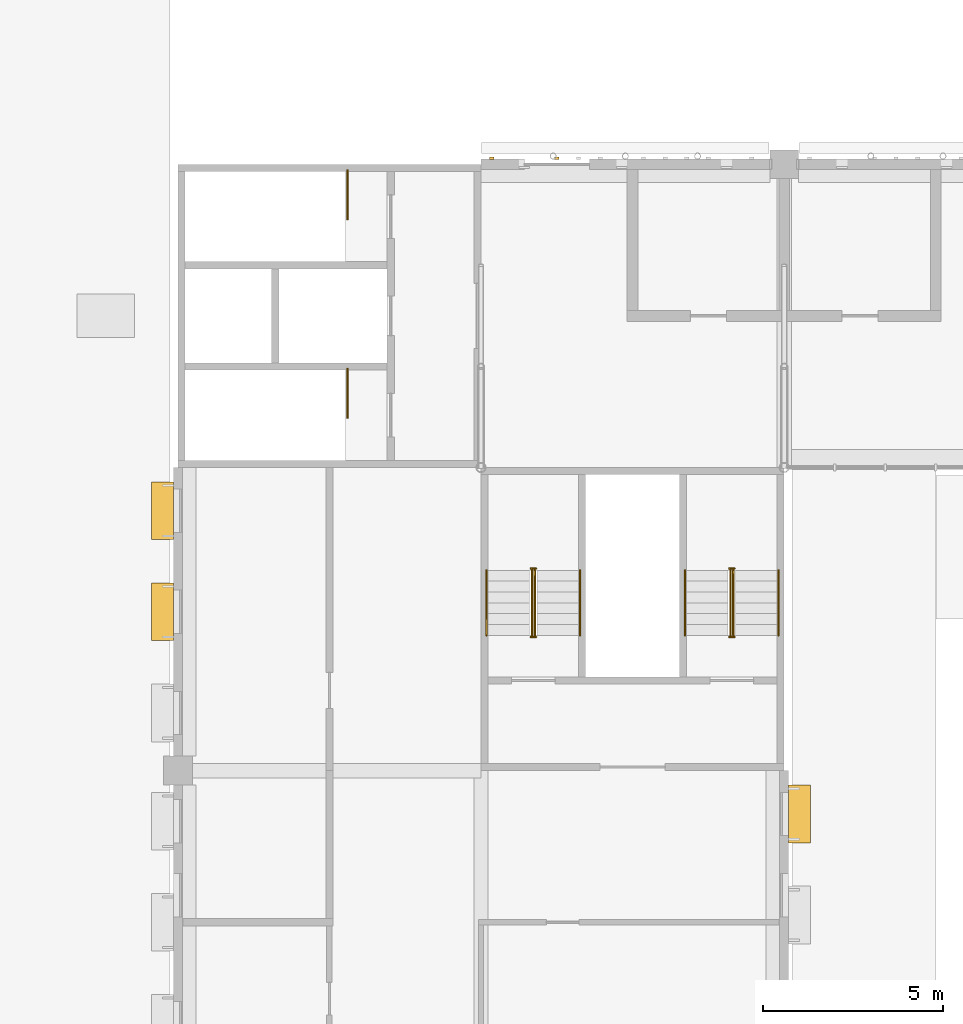
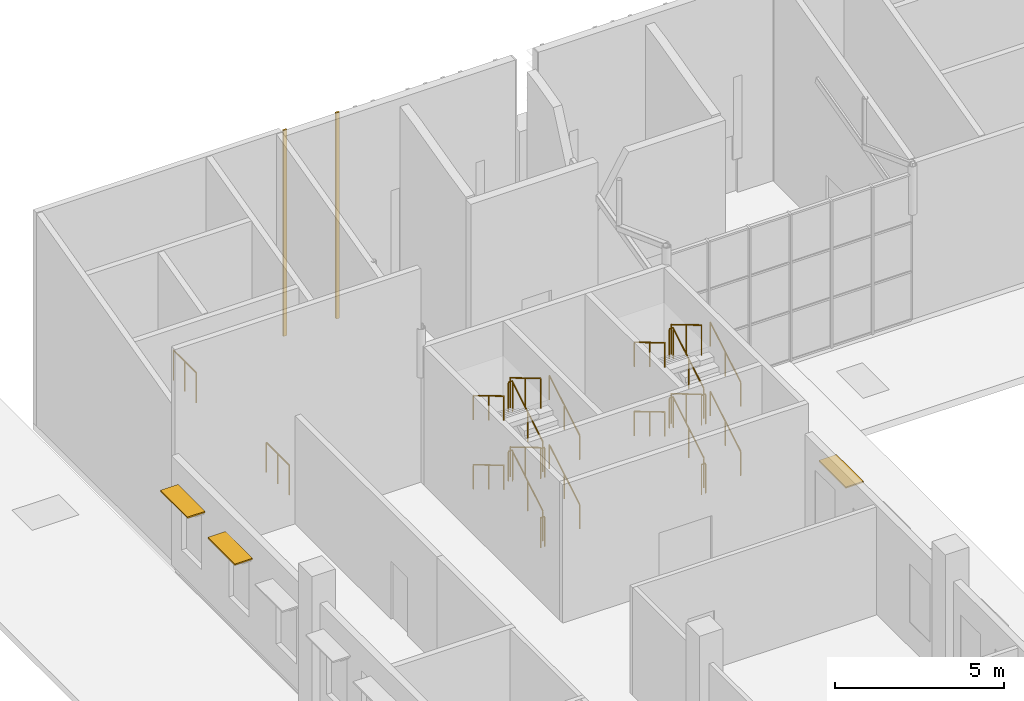
# One storey, part 79 of 101: 26 railings, 5 shading devices.
"""IFC4 building model written with IfcOpenShell, lengths in metres."""

from ifc_helpers import new_model, si_unit, direction, frame, origin, origin_2d, place, context, subcontext, project, spatial, rectangle, circle, extrude, material, material_profile, profile_set, type_object, element, save


model = new_model("IFC4")

# Units and contexts
model_context = context("Model", 3, precision=1e-05, world=origin(), true_north=direction((0.0, 1.0)))
body_context = subcontext(model_context, "Body", "Model", "MODEL_VIEW")
ifc_project = project(units=[si_unit("LENGTHUNIT", "METRE"), si_unit("AREAUNIT", "SQUARE_METRE"), si_unit("VOLUMEUNIT", "CUBIC_METRE"), si_unit("PLANEANGLEUNIT", "RADIAN"), si_unit("MASSUNIT", "GRAM", prefix="KILO")], contexts=[model_context])

# Site, building, storey
site_placement = place(None, origin())
site = spatial("IfcSite", under=ifc_project, at=site_placement, CompositionType="ELEMENT")
building_placement = place(site_placement, origin())
building = spatial("IfcBuilding", under=site, at=building_placement, Name="Almond Square Museum", CompositionType="ELEMENT")
storey_placement = place(building_placement, frame((0.0, 0.0, 5.5)))
storey = spatial("IfcBuildingStorey", under=building, at=storey_placement, Name="L01", CompositionType="ELEMENT", Elevation=5.5)

# Railings
ifc_material_1 = material(Name="Stainless steel and laminated glass", Category="steel")
railing_type_1 = type_object("IfcRailingType", Name="Stair guard 1100 steel and glass", PredefinedType="GUARDRAIL", material=ifc_material_1)
for number, where, name in (
    (1, (10.699951171875, 78.330078125, 0.0), "L01 ST-13 top well guard 1"),
    (2, (10.699951171875, 83.830078125, 0.0), "L01 ST-14 top well guard 1"),
):
    element("IfcRailing", number, at=place(storey_placement, frame(where)), inside=storey, type_object=railing_type_1, Name=name, PredefinedType="GUARDRAIL", context=body_context, shape_type="SweptSolid", body=[
        extrude(circle(Radius=0.02392578125, at=origin_2d()), frame((0.0, 0.0, 1.076171875), z_axis=(0.0, -1.0, 0.0), x_axis=(1.0, 0.0, 0.0)), (0.0, 0.0, 1.0), 1.35009765625),
        extrude(circle(Radius=0.02099609375, at=origin_2d()), origin(), (0.0, 0.0, 1.0), 1.052001953125),
        extrude(circle(Radius=0.02099609375, at=origin_2d()), frame((0.0, -0.675048828125, 0.0)), (0.0, 0.0, 1.0), 1.052001953125),
        extrude(circle(Radius=0.02099609375, at=origin_2d()), frame((0.0, -1.35009765625, 0.0)), (0.0, 0.0, 1.0), 1.052001953125),
    ])
railing_1_placement = place(storey_placement, frame((15.889892578125, 70.949951171875, 0.178466796875)))
element("IfcRailing", 3, at=railing_1_placement, inside=storey, type_object=railing_type_1, Name="L01 ST-23 stair guard 1", PredefinedType="GUARDRAIL", context=body_context, shape_type="SweptSolid", body=[
    extrude(circle(Radius=0.02392578125, at=origin_2d()), frame((0.0, 0.0, 1.076171875), z_axis=(0.0, 0.859277029364, 0.511510495305), x_axis=(-1.0, 0.0, 0.0)), (0.0, 0.0, 1.0), 2.0947265625),
    extrude(circle(Radius=0.02099609375, at=origin_2d()), origin(), (0.0, 0.0, 1.0), 1.052001953125),
    extrude(circle(Radius=0.02099609375, at=origin_2d()), frame((0.0, 0.89990234375, 0.53564453125)), (0.0, 0.0, 1.0), 1.052001953125),
    extrude(circle(Radius=0.02099609375, at=origin_2d()), frame((0.0, 1.800048828125, 1.071533203125)), (0.0, 0.0, 1.0), 1.052001953125),
])
railing_2_placement = place(storey_placement, frame((15.919921875, 72.800048828125, 1.25)))
element("IfcRailing", 4, at=railing_2_placement, inside=storey, type_object=railing_type_1, Name="L01 ST-23 stair guard 2", PredefinedType="GUARDRAIL", context=body_context, shape_type="SweptSolid", body=[
    extrude(circle(Radius=0.02392578125, at=origin_2d()), frame((0.0, 0.0, 1.076171875), z_axis=(-1.0, 0.0, 0.0), x_axis=(0.0, -1.0, 0.0)), (0.0, 0.0, 1.0), 0.139892578125),
    extrude(circle(Radius=0.02099609375, at=origin_2d()), origin(), (0.0, 0.0, 1.0), 1.052001953125),
    extrude(circle(Radius=0.02099609375, at=origin_2d()), frame((-0.139892578125, 0.0, 0.0)), (0.0, 0.0, 1.0), 1.052001953125),
])
railing_3_placement = place(storey_placement, frame((15.81005859375, 72.75, 1.428466796875)))
element("IfcRailing", 5, at=railing_3_placement, inside=storey, type_object=railing_type_1, Name="L01 ST-23 stair guard 3", PredefinedType="GUARDRAIL", context=body_context, shape_type="SweptSolid", body=[
    extrude(circle(Radius=0.02392578125, at=origin_2d()), frame((0.0, 0.0, 1.076171875), z_axis=(0.0, -0.859277029364, 0.511510495305), x_axis=(1.0, 0.0, 0.0)), (0.0, 0.0, 1.0), 2.0947265625),
    extrude(circle(Radius=0.02099609375, at=origin_2d()), origin(), (0.0, 0.0, 1.0), 1.052001953125),
    extrude(circle(Radius=0.02099609375, at=origin_2d()), frame((0.0, -0.89990234375, 0.53564453125)), (0.0, 0.0, 1.0), 1.052001953125),
    extrude(circle(Radius=0.02099609375, at=origin_2d()), frame((0.0, -1.800048828125, 1.071533203125)), (0.0, 0.0, 1.0), 1.052001953125),
])
railing_4_placement = place(storey_placement, frame((15.919921875, 70.89990234375, 2.5)))
element("IfcRailing", 6, at=railing_4_placement, inside=storey, type_object=railing_type_1, Name="L01 ST-23 stair guard 4", PredefinedType="GUARDRAIL", context=body_context, shape_type="SweptSolid", body=[
    extrude(circle(Radius=0.02392578125, at=origin_2d()), frame((0.0, 0.0, 1.076171875), z_axis=(-1.0, 0.0, 0.0), x_axis=(0.0, -1.0, 0.0)), (0.0, 0.0, 1.0), 0.139892578125),
    extrude(circle(Radius=0.02099609375, at=origin_2d()), origin(), (0.0, 0.0, 1.0), 1.052001953125),
    extrude(circle(Radius=0.02099609375, at=origin_2d()), frame((-0.139892578125, 0.0, 0.0)), (0.0, 0.0, 1.0), 1.052001953125),
])
railing_5_placement = place(storey_placement, frame((15.889892578125, 70.949951171875, 2.678466796875)))
element("IfcRailing", 7, at=railing_5_placement, inside=storey, type_object=railing_type_1, Name="L01 ST-23 stair guard 5", PredefinedType="GUARDRAIL", context=body_context, shape_type="SweptSolid", body=[
    extrude(circle(Radius=0.02392578125, at=origin_2d()), frame((0.0, 0.0, 1.076171875), z_axis=(0.0, 0.859277029364, 0.511510495305), x_axis=(-1.0, 0.0, 0.0)), (0.0, 0.0, 1.0), 2.0947265625),
    extrude(circle(Radius=0.02099609375, at=origin_2d()), origin(), (0.0, 0.0, 1.0), 1.052001953125),
    extrude(circle(Radius=0.02099609375, at=origin_2d()), frame((0.0, 0.89990234375, 0.53564453125)), (0.0, 0.0, 1.0), 1.052001953125),
    extrude(circle(Radius=0.02099609375, at=origin_2d()), frame((0.0, 1.800048828125, 1.071533203125)), (0.0, 0.0, 1.0), 1.052001953125),
])
railing_6_placement = place(storey_placement, frame((15.919921875, 72.800048828125, 3.75)))
element("IfcRailing", 8, at=railing_6_placement, inside=storey, type_object=railing_type_1, Name="L01 ST-23 stair guard 6", PredefinedType="GUARDRAIL", context=body_context, shape_type="SweptSolid", body=[
    extrude(circle(Radius=0.02392578125, at=origin_2d()), frame((0.0, 0.0, 1.076171875), z_axis=(-1.0, 0.0, 0.0), x_axis=(0.0, -1.0, 0.0)), (0.0, 0.0, 1.0), 0.139892578125),
    extrude(circle(Radius=0.02099609375, at=origin_2d()), origin(), (0.0, 0.0, 1.0), 1.052001953125),
    extrude(circle(Radius=0.02099609375, at=origin_2d()), frame((-0.139892578125, 0.0, 0.0)), (0.0, 0.0, 1.0), 1.052001953125),
])
railing_7_placement = place(storey_placement, frame((15.81005859375, 72.75, 3.928466796875)))
element("IfcRailing", 9, at=railing_7_placement, inside=storey, type_object=railing_type_1, Name="L01 ST-23 stair guard 7", PredefinedType="GUARDRAIL", context=body_context, shape_type="SweptSolid", body=[
    extrude(circle(Radius=0.02392578125, at=origin_2d()), frame((0.0, 0.0, 1.076171875), z_axis=(0.0, -0.859277029364, 0.511510495305), x_axis=(1.0, 0.0, 0.0)), (0.0, 0.0, 1.0), 2.0947265625),
    extrude(circle(Radius=0.02099609375, at=origin_2d()), origin(), (0.0, 0.0, 1.0), 1.052001953125),
    extrude(circle(Radius=0.02099609375, at=origin_2d()), frame((0.0, -0.89990234375, 0.53564453125)), (0.0, 0.0, 1.0), 1.052001953125),
    extrude(circle(Radius=0.02099609375, at=origin_2d()), frame((0.0, -1.800048828125, 1.071533203125)), (0.0, 0.0, 1.0), 1.052001953125),
])
railing_8_placement = place(storey_placement, frame((15.919921875, 70.89990234375, 0.0)))
element("IfcRailing", 10, at=railing_8_placement, inside=storey, type_object=railing_type_1, Name="L01 ST-23 stair guard 8", PredefinedType="GUARDRAIL", context=body_context, shape_type="SweptSolid", body=[
    extrude(circle(Radius=0.02392578125, at=origin_2d()), frame((0.0, 0.0, 1.076171875), z_axis=(-1.0, 0.0, 0.0), x_axis=(0.0, -1.0, 0.0)), (0.0, 0.0, 1.0), 0.139892578125),
    extrude(circle(Radius=0.02099609375, at=origin_2d()), origin(), (0.0, 0.0, 1.0), 1.052001953125),
    extrude(circle(Radius=0.02099609375, at=origin_2d()), frame((-0.139892578125, 0.0, 0.0)), (0.0, 0.0, 1.0), 1.052001953125),
])
railing_9_placement = place(storey_placement, frame((21.389892578125, 70.949951171875, 0.178466796875)))
element("IfcRailing", 11, at=railing_9_placement, inside=storey, type_object=railing_type_1, Name="L01 ST-24 stair guard 1", PredefinedType="GUARDRAIL", context=body_context, shape_type="SweptSolid", body=[
    extrude(circle(Radius=0.02392578125, at=origin_2d()), frame((0.0, 0.0, 1.076171875), z_axis=(0.0, 0.859277029364, 0.511510495305), x_axis=(-1.0, 0.0, 0.0)), (0.0, 0.0, 1.0), 2.0947265625),
    extrude(circle(Radius=0.02099609375, at=origin_2d()), origin(), (0.0, 0.0, 1.0), 1.052001953125),
    extrude(circle(Radius=0.02099609375, at=origin_2d()), frame((0.0, 0.89990234375, 0.53564453125)), (0.0, 0.0, 1.0), 1.052001953125),
    extrude(circle(Radius=0.02099609375, at=origin_2d()), frame((0.0, 1.800048828125, 1.071533203125)), (0.0, 0.0, 1.0), 1.052001953125),
])
railing_10_placement = place(storey_placement, frame((21.419921875, 72.800048828125, 1.25)))
element("IfcRailing", 12, at=railing_10_placement, inside=storey, type_object=railing_type_1, Name="L01 ST-24 stair guard 2", PredefinedType="GUARDRAIL", context=body_context, shape_type="SweptSolid", body=[
    extrude(circle(Radius=0.02392578125, at=origin_2d()), frame((0.0, 0.0, 1.076171875), z_axis=(-1.0, 0.0, 0.0), x_axis=(0.0, -1.0, 0.0)), (0.0, 0.0, 1.0), 0.139892578125),
    extrude(circle(Radius=0.02099609375, at=origin_2d()), origin(), (0.0, 0.0, 1.0), 1.052001953125),
    extrude(circle(Radius=0.02099609375, at=origin_2d()), frame((-0.139892578125, 0.0, 0.0)), (0.0, 0.0, 1.0), 1.052001953125),
])
railing_11_placement = place(storey_placement, frame((21.31005859375, 72.75, 1.428466796875)))
element("IfcRailing", 13, at=railing_11_placement, inside=storey, type_object=railing_type_1, Name="L01 ST-24 stair guard 3", PredefinedType="GUARDRAIL", context=body_context, shape_type="SweptSolid", body=[
    extrude(circle(Radius=0.02392578125, at=origin_2d()), frame((0.0, 0.0, 1.076171875), z_axis=(0.0, -0.859277029364, 0.511510495305), x_axis=(1.0, 0.0, 0.0)), (0.0, 0.0, 1.0), 2.0947265625),
    extrude(circle(Radius=0.02099609375, at=origin_2d()), origin(), (0.0, 0.0, 1.0), 1.052001953125),
    extrude(circle(Radius=0.02099609375, at=origin_2d()), frame((0.0, -0.89990234375, 0.53564453125)), (0.0, 0.0, 1.0), 1.052001953125),
    extrude(circle(Radius=0.02099609375, at=origin_2d()), frame((0.0, -1.800048828125, 1.071533203125)), (0.0, 0.0, 1.0), 1.052001953125),
])
railing_12_placement = place(storey_placement, frame((21.419921875, 70.89990234375, 2.5)))
element("IfcRailing", 14, at=railing_12_placement, inside=storey, type_object=railing_type_1, Name="L01 ST-24 stair guard 4", PredefinedType="GUARDRAIL", context=body_context, shape_type="SweptSolid", body=[
    extrude(circle(Radius=0.02392578125, at=origin_2d()), frame((0.0, 0.0, 1.076171875), z_axis=(-1.0, 0.0, 0.0), x_axis=(0.0, -1.0, 0.0)), (0.0, 0.0, 1.0), 0.139892578125),
    extrude(circle(Radius=0.02099609375, at=origin_2d()), origin(), (0.0, 0.0, 1.0), 1.052001953125),
    extrude(circle(Radius=0.02099609375, at=origin_2d()), frame((-0.139892578125, 0.0, 0.0)), (0.0, 0.0, 1.0), 1.052001953125),
])
railing_13_placement = place(storey_placement, frame((21.389892578125, 70.949951171875, 2.678466796875)))
element("IfcRailing", 15, at=railing_13_placement, inside=storey, type_object=railing_type_1, Name="L01 ST-24 stair guard 5", PredefinedType="GUARDRAIL", context=body_context, shape_type="SweptSolid", body=[
    extrude(circle(Radius=0.02392578125, at=origin_2d()), frame((0.0, 0.0, 1.076171875), z_axis=(0.0, 0.859277029364, 0.511510495305), x_axis=(-1.0, 0.0, 0.0)), (0.0, 0.0, 1.0), 2.0947265625),
    extrude(circle(Radius=0.02099609375, at=origin_2d()), origin(), (0.0, 0.0, 1.0), 1.052001953125),
    extrude(circle(Radius=0.02099609375, at=origin_2d()), frame((0.0, 0.89990234375, 0.53564453125)), (0.0, 0.0, 1.0), 1.052001953125),
    extrude(circle(Radius=0.02099609375, at=origin_2d()), frame((0.0, 1.800048828125, 1.071533203125)), (0.0, 0.0, 1.0), 1.052001953125),
])
railing_14_placement = place(storey_placement, frame((21.419921875, 72.800048828125, 3.75)))
element("IfcRailing", 16, at=railing_14_placement, inside=storey, type_object=railing_type_1, Name="L01 ST-24 stair guard 6", PredefinedType="GUARDRAIL", context=body_context, shape_type="SweptSolid", body=[
    extrude(circle(Radius=0.02392578125, at=origin_2d()), frame((0.0, 0.0, 1.076171875), z_axis=(-1.0, 0.0, 0.0), x_axis=(0.0, -1.0, 0.0)), (0.0, 0.0, 1.0), 0.139892578125),
    extrude(circle(Radius=0.02099609375, at=origin_2d()), origin(), (0.0, 0.0, 1.0), 1.052001953125),
    extrude(circle(Radius=0.02099609375, at=origin_2d()), frame((-0.139892578125, 0.0, 0.0)), (0.0, 0.0, 1.0), 1.052001953125),
])
railing_15_placement = place(storey_placement, frame((21.31005859375, 72.75, 3.928466796875)))
element("IfcRailing", 17, at=railing_15_placement, inside=storey, type_object=railing_type_1, Name="L01 ST-24 stair guard 7", PredefinedType="GUARDRAIL", context=body_context, shape_type="SweptSolid", body=[
    extrude(circle(Radius=0.02392578125, at=origin_2d()), frame((0.0, 0.0, 1.076171875), z_axis=(0.0, -0.859277029364, 0.511510495305), x_axis=(1.0, 0.0, 0.0)), (0.0, 0.0, 1.0), 2.0947265625),
    extrude(circle(Radius=0.02099609375, at=origin_2d()), origin(), (0.0, 0.0, 1.0), 1.052001953125),
    extrude(circle(Radius=0.02099609375, at=origin_2d()), frame((0.0, -0.89990234375, 0.53564453125)), (0.0, 0.0, 1.0), 1.052001953125),
    extrude(circle(Radius=0.02099609375, at=origin_2d()), frame((0.0, -1.800048828125, 1.071533203125)), (0.0, 0.0, 1.0), 1.052001953125),
])
railing_16_placement = place(storey_placement, frame((21.419921875, 70.89990234375, 0.0)))
element("IfcRailing", 18, at=railing_16_placement, inside=storey, type_object=railing_type_1, Name="L01 ST-24 stair guard 8", PredefinedType="GUARDRAIL", context=body_context, shape_type="SweptSolid", body=[
    extrude(circle(Radius=0.02392578125, at=origin_2d()), frame((0.0, 0.0, 1.076171875), z_axis=(-1.0, 0.0, 0.0), x_axis=(0.0, -1.0, 0.0)), (0.0, 0.0, 1.0), 0.139892578125),
    extrude(circle(Radius=0.02099609375, at=origin_2d()), origin(), (0.0, 0.0, 1.0), 1.052001953125),
    extrude(circle(Radius=0.02099609375, at=origin_2d()), frame((-0.139892578125, 0.0, 0.0)), (0.0, 0.0, 1.0), 1.052001953125),
])
ifc_material_2 = material(Name="Stainless steel", Category="steel")
railing_type_2 = type_object("IfcRailingType", Name="Stair handrail 900 steel", PredefinedType="HANDRAIL", material=ifc_material_2)
railing_17_placement = place(storey_placement, frame((17.14501953125, 70.949951171875, 0.178466796875)))
element("IfcRailing", 19, at=railing_17_placement, inside=storey, type_object=railing_type_2, Name="L01 ST-23 stair handrail 1", PredefinedType="HANDRAIL", context=body_context, shape_type="SweptSolid", body=[
    extrude(circle(Radius=0.02392578125, at=origin_2d()), frame((0.0, 0.0, 0.8759765625), z_axis=(0.0, 0.859277029364, 0.511510495305), x_axis=(-1.0, 0.0, 0.0)), (0.0, 0.0, 1.0), 2.0947265625),
    extrude(circle(Radius=0.02099609375, at=origin_2d()), origin(), (0.0, 0.0, 1.0), 0.851806640625),
    extrude(circle(Radius=0.02099609375, at=origin_2d()), frame((0.0, 0.89990234375, 0.53564453125)), (0.0, 0.0, 1.0), 0.851806640625),
    extrude(circle(Radius=0.02099609375, at=origin_2d()), frame((0.0, 1.800048828125, 1.071533203125)), (0.0, 0.0, 1.0), 0.851806640625),
])
railing_18_placement = place(storey_placement, frame((14.554931640625, 72.75, 1.428466796875)))
element("IfcRailing", 20, at=railing_18_placement, inside=storey, type_object=railing_type_2, Name="L01 ST-23 stair handrail 2", PredefinedType="HANDRAIL", context=body_context, shape_type="SweptSolid", body=[
    extrude(circle(Radius=0.02392578125, at=origin_2d()), frame((0.0, 0.0, 0.8759765625), z_axis=(0.0, -0.859277029364, 0.511510495305), x_axis=(1.0, 0.0, 0.0)), (0.0, 0.0, 1.0), 2.0947265625),
    extrude(circle(Radius=0.02099609375, at=origin_2d()), origin(), (0.0, 0.0, 1.0), 0.851806640625),
    extrude(circle(Radius=0.02099609375, at=origin_2d()), frame((0.0, -0.89990234375, 0.53564453125)), (0.0, 0.0, 1.0), 0.851806640625),
    extrude(circle(Radius=0.02099609375, at=origin_2d()), frame((0.0, -1.800048828125, 1.071533203125)), (0.0, 0.0, 1.0), 0.851806640625),
])
railing_19_placement = place(storey_placement, frame((17.14501953125, 70.949951171875, 2.678466796875)))
element("IfcRailing", 21, at=railing_19_placement, inside=storey, type_object=railing_type_2, Name="L01 ST-23 stair handrail 3", PredefinedType="HANDRAIL", context=body_context, shape_type="SweptSolid", body=[
    extrude(circle(Radius=0.02392578125, at=origin_2d()), frame((0.0, 0.0, 0.8759765625), z_axis=(0.0, 0.859277029364, 0.511510495305), x_axis=(-1.0, 0.0, 0.0)), (0.0, 0.0, 1.0), 2.0947265625),
    extrude(circle(Radius=0.02099609375, at=origin_2d()), origin(), (0.0, 0.0, 1.0), 0.851806640625),
    extrude(circle(Radius=0.02099609375, at=origin_2d()), frame((0.0, 0.89990234375, 0.53564453125)), (0.0, 0.0, 1.0), 0.851806640625),
    extrude(circle(Radius=0.02099609375, at=origin_2d()), frame((0.0, 1.800048828125, 1.071533203125)), (0.0, 0.0, 1.0), 0.851806640625),
])
railing_20_placement = place(storey_placement, frame((14.554931640625, 72.75, 3.928466796875)))
element("IfcRailing", 22, at=railing_20_placement, inside=storey, type_object=railing_type_2, Name="L01 ST-23 stair handrail 4", PredefinedType="HANDRAIL", context=body_context, shape_type="SweptSolid", body=[
    extrude(circle(Radius=0.02392578125, at=origin_2d()), frame((0.0, 0.0, 0.8759765625), z_axis=(0.0, -0.859277029364, 0.511510495305), x_axis=(1.0, 0.0, 0.0)), (0.0, 0.0, 1.0), 2.0947265625),
    extrude(circle(Radius=0.02099609375, at=origin_2d()), origin(), (0.0, 0.0, 1.0), 0.851806640625),
    extrude(circle(Radius=0.02099609375, at=origin_2d()), frame((0.0, -0.89990234375, 0.53564453125)), (0.0, 0.0, 1.0), 0.851806640625),
    extrude(circle(Radius=0.02099609375, at=origin_2d()), frame((0.0, -1.800048828125, 1.071533203125)), (0.0, 0.0, 1.0), 0.851806640625),
])
railing_21_placement = place(storey_placement, frame((22.64501953125, 70.949951171875, 0.178466796875)))
element("IfcRailing", 23, at=railing_21_placement, inside=storey, type_object=railing_type_2, Name="L01 ST-24 stair handrail 1", PredefinedType="HANDRAIL", context=body_context, shape_type="SweptSolid", body=[
    extrude(circle(Radius=0.02392578125, at=origin_2d()), frame((0.0, 0.0, 0.8759765625), z_axis=(0.0, 0.859277029364, 0.511510495305), x_axis=(-1.0, 0.0, 0.0)), (0.0, 0.0, 1.0), 2.0947265625),
    extrude(circle(Radius=0.02099609375, at=origin_2d()), origin(), (0.0, 0.0, 1.0), 0.851806640625),
    extrude(circle(Radius=0.02099609375, at=origin_2d()), frame((0.0, 0.89990234375, 0.53564453125)), (0.0, 0.0, 1.0), 0.851806640625),
    extrude(circle(Radius=0.02099609375, at=origin_2d()), frame((0.0, 1.800048828125, 1.071533203125)), (0.0, 0.0, 1.0), 0.851806640625),
])
railing_22_placement = place(storey_placement, frame((20.054931640625, 72.75, 1.428466796875)))
element("IfcRailing", 24, at=railing_22_placement, inside=storey, type_object=railing_type_2, Name="L01 ST-24 stair handrail 2", PredefinedType="HANDRAIL", context=body_context, shape_type="SweptSolid", body=[
    extrude(circle(Radius=0.02392578125, at=origin_2d()), frame((0.0, 0.0, 0.8759765625), z_axis=(0.0, -0.859277029364, 0.511510495305), x_axis=(1.0, 0.0, 0.0)), (0.0, 0.0, 1.0), 2.0947265625),
    extrude(circle(Radius=0.02099609375, at=origin_2d()), origin(), (0.0, 0.0, 1.0), 0.851806640625),
    extrude(circle(Radius=0.02099609375, at=origin_2d()), frame((0.0, -0.89990234375, 0.53564453125)), (0.0, 0.0, 1.0), 0.851806640625),
    extrude(circle(Radius=0.02099609375, at=origin_2d()), frame((0.0, -1.800048828125, 1.071533203125)), (0.0, 0.0, 1.0), 0.851806640625),
])
railing_23_placement = place(storey_placement, frame((22.64501953125, 70.949951171875, 2.678466796875)))
element("IfcRailing", 25, at=railing_23_placement, inside=storey, type_object=railing_type_2, Name="L01 ST-24 stair handrail 3", PredefinedType="HANDRAIL", context=body_context, shape_type="SweptSolid", body=[
    extrude(circle(Radius=0.02392578125, at=origin_2d()), frame((0.0, 0.0, 0.8759765625), z_axis=(0.0, 0.859277029364, 0.511510495305), x_axis=(-1.0, 0.0, 0.0)), (0.0, 0.0, 1.0), 2.0947265625),
    extrude(circle(Radius=0.02099609375, at=origin_2d()), origin(), (0.0, 0.0, 1.0), 0.851806640625),
    extrude(circle(Radius=0.02099609375, at=origin_2d()), frame((0.0, 0.89990234375, 0.53564453125)), (0.0, 0.0, 1.0), 0.851806640625),
    extrude(circle(Radius=0.02099609375, at=origin_2d()), frame((0.0, 1.800048828125, 1.071533203125)), (0.0, 0.0, 1.0), 0.851806640625),
])
railing_24_placement = place(storey_placement, frame((20.054931640625, 72.75, 3.928466796875)))
element("IfcRailing", 26, at=railing_24_placement, inside=storey, type_object=railing_type_2, Name="L01 ST-24 stair handrail 4", PredefinedType="HANDRAIL", context=body_context, shape_type="SweptSolid", body=[
    extrude(circle(Radius=0.02392578125, at=origin_2d()), frame((0.0, 0.0, 0.8759765625), z_axis=(0.0, -0.859277029364, 0.511510495305), x_axis=(1.0, 0.0, 0.0)), (0.0, 0.0, 1.0), 2.0947265625),
    extrude(circle(Radius=0.02099609375, at=origin_2d()), origin(), (0.0, 0.0, 1.0), 0.851806640625),
    extrude(circle(Radius=0.02099609375, at=origin_2d()), frame((0.0, -0.89990234375, 0.53564453125)), (0.0, 0.0, 1.0), 0.851806640625),
    extrude(circle(Radius=0.02099609375, at=origin_2d()), frame((0.0, -1.800048828125, 1.071533203125)), (0.0, 0.0, 1.0), 0.851806640625),
])

# Shading devices
ifc_material_3 = material(Name="Anodised aluminium", Category="aluminium")
ifc_material_profile_1 = material_profile(ifc_material_3, rectangle(XDim=0.60009765625, YDim=0.050048828125, at=origin_2d()))
ifc_profile_set_1 = profile_set([ifc_material_profile_1], Name="Anodised aluminium")
shading_device_type_1 = type_object("IfcShadingDeviceType", Name="Sun-shade blade 600 x 50", PredefinedType="USERDEFINED", material=ifc_profile_set_1)
shading_device_placement = place(storey_placement, frame((23.222900390625, 65.199951171875, 3.1201171875), z_axis=(0.0, 1.0, 0.0), x_axis=(-1.0, 0.0, 0.0)))
element("IfcShadingDevice", 27, at=shading_device_placement, inside=storey, type_object=shading_device_type_1, Name="Sun-shade blade", ObjectType="LOUVRE", PredefinedType="USERDEFINED", context=body_context, shape_type="SweptSolid", body=[
    extrude(rectangle(XDim=0.60009765625, YDim=0.050048828125, at=origin_2d()), origin(), (0.0, 0.0, 1.0), 1.60009765625),
])
for number, where, z_axis, x_axis, name in (
    (28, (5.576904296875, 70.800048828125, 3.1201171875), (0.0, 1.0, 0.0), (-1.0, 0.0, 0.0), "Sun-shade blade"),
    (29, (5.576904296875, 73.60009765625, 3.1201171875), (0.0, 1.0, 0.0), (-1.0, 0.0, 0.0), "Sun-shade blade"),
):
    element("IfcShadingDevice", number, at=place(storey_placement, frame(where, z_axis=z_axis, x_axis=x_axis)), inside=storey, type_object=shading_device_type_1, Name=name, ObjectType="LOUVRE", PredefinedType="USERDEFINED", context=body_context, shape_type="SweptSolid", body=[
        extrude(rectangle(XDim=0.60009765625, YDim=0.050048828125, at=origin_2d()), origin(), (0.0, 0.0, 1.0), 1.599853515625),
    ])
ifc_material_4 = material(Name="Cedar timber batten", Category="wood")
ifc_material_profile_2 = material_profile(ifc_material_4, rectangle(XDim=0.06005859375, YDim=0.1201171875, at=origin_2d()))
ifc_profile_set_2 = profile_set([ifc_material_profile_2], Name="Cedar timber batten")
shading_device_type_2 = type_object("IfcShadingDeviceType", Name="Vertical timber batten 60 x 120", PredefinedType="USERDEFINED", material=ifc_profile_set_2)
for number, where, z_axis, x_axis, name in (
    (30, (14.699951171875, 84.16796875, 0.0), (0.0, 0.0, 1.0), (0.0, 1.0, 0.0), "Timber batten"),
    (31, (16.5, 84.16796875, 0.0), (0.0, 0.0, 1.0), (0.0, 1.0, 0.0), "Timber batten"),
):
    element("IfcShadingDevice", number, at=place(storey_placement, frame(where, z_axis=z_axis, x_axis=x_axis)), inside=storey, type_object=shading_device_type_2, Name=name, ObjectType="FIN", PredefinedType="USERDEFINED", context=body_context, shape_type="SweptSolid", body=[
        extrude(rectangle(XDim=0.06005859375, YDim=0.1201171875, at=origin_2d()), origin(), (0.0, 0.0, 1.0), 7.444091796875),
    ])

save(model, "model.ifc")
